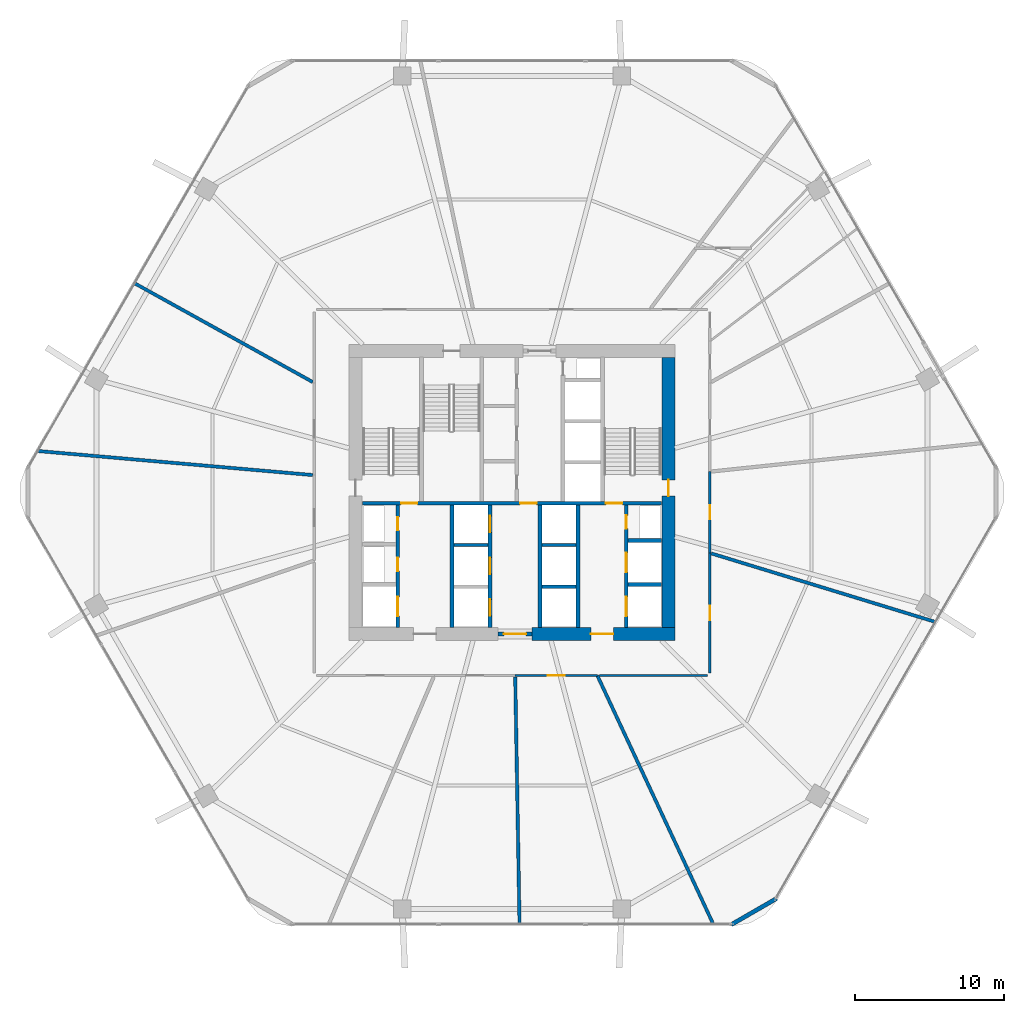
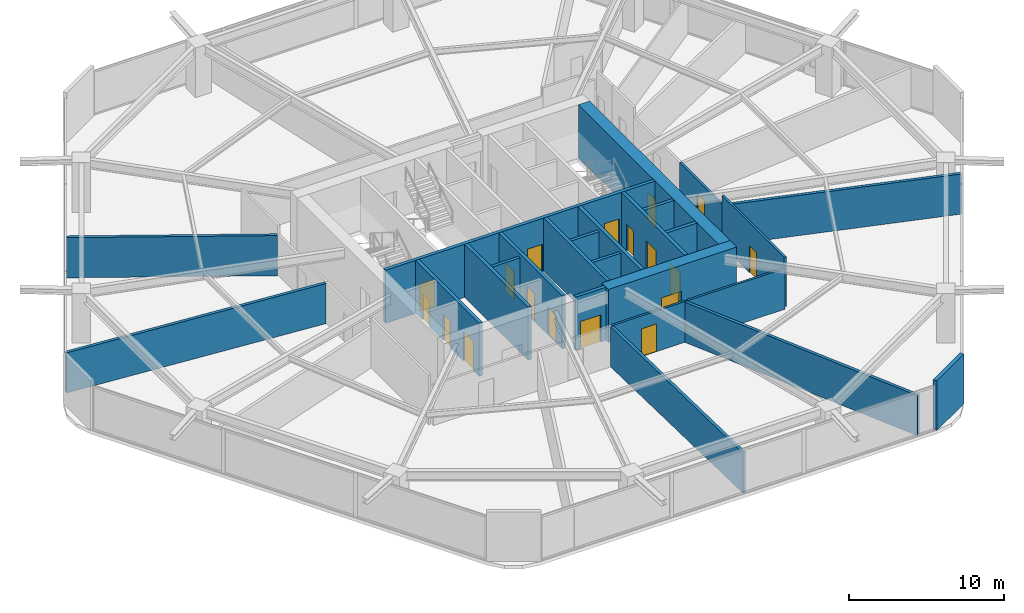
# One storey, part 22 of 25: 25 walls, 18 doors, 18 openings.
"""IFC4 building model written with IfcOpenShell, lengths in metres."""

from ifc_helpers import new_model, si_unit, direction, frame, frame_2d, origin, place, context, subcontext, project, spatial, rectangle, extrude, material, layer, layer_set, type_object, element, fill, save


model = new_model("IFC4")

# Units and contexts
model_context = context("Model", 3, precision=1e-05, world=origin(), true_north=direction((0.0, 1.0)))
body_context = subcontext(model_context, "Body", "Model", "MODEL_VIEW")
ifc_project = project(units=[si_unit("LENGTHUNIT", "METRE"), si_unit("AREAUNIT", "SQUARE_METRE"), si_unit("VOLUMEUNIT", "CUBIC_METRE"), si_unit("PLANEANGLEUNIT", "RADIAN"), si_unit("MASSUNIT", "GRAM", prefix="KILO")], contexts=[model_context])

# Site, building, storey
site_placement = place(None, origin())
site = spatial("IfcSite", under=ifc_project, at=site_placement, CompositionType="ELEMENT")
building_placement = place(site_placement, origin())
building = spatial("IfcBuilding", under=site, at=building_placement, Name="Zuhravey Tower", CompositionType="ELEMENT")
storey_placement = place(building_placement, frame((0.0, 0.0, 62.39990234375)))
storey = spatial("IfcBuildingStorey", under=building, at=storey_placement, Name="L15", CompositionType="ELEMENT", Elevation=62.39990234375)

# Wall, opening, door
ifc_material_1 = material(Name="Concrete C60/75", Category="concrete")
ifc_layer_1 = layer(ifc_material_1, 0.85009765625)
ifc_layer_set_1 = layer_set([ifc_layer_1], Name="Concrete C60/75")
wall_type_1 = type_object("IfcWallType", Name="Core Shear Wall 850", PredefinedType="SHEAR", material=ifc_layer_set_1)
wall_1_placement = place(storey_placement, frame((37.35009765625, 22.5, 0.0), z_axis=(0.0, 0.0, 1.0), x_axis=(1.0, 0.0, 0.0)))
wall_1 = element("IfcWall", 1, at=wall_1_placement, inside=storey, type_object=wall_type_1, Name="L15 South-East Core Shear Wall CW85", PredefinedType="SHEAR", context=body_context, shape_type="SweptSolid", body=[
    extrude(rectangle(XDim=9.574951171875, YDim=0.85009765625, at=frame_2d((4.78759765625, 0.0))), origin(), (0.0, 0.0, 1.0), 4.2001953125),
])
opening_1_placement = place(wall_1_placement, frame((3.949951171875, 0.0, 0.0)))
opening_1 = element("IfcOpeningElement", 2, at=opening_1_placement, cuts=wall_1, Name="Opening FFD1", PredefinedType="OPENING", context=body_context, shape_type="SweptSolid", body=[
    extrude(rectangle(XDim=1.5, YDim=2.14990234375, at=frame_2d((0.75, 1.074951171875))), frame((0.0, 0.43701171875, 0.0), z_axis=(0.0, -1.0, 0.0), x_axis=(1.0, 0.0, 0.0)), (0.0, 0.0, 1.0), 0.8740234375),
])
ifc_material_2 = material(Name="Galvanised fire-rated steel leaf", Category="steel")
door_type_1 = type_object("IfcDoorType", Name="Firefighting Lobby Double Door 1500x2150", OperationType="DOUBLE_DOOR_SINGLE_SWING", PredefinedType="DOOR", material=ifc_material_2)
door_1_placement = place(opening_1_placement, origin())
door_1 = element("IfcDoor", 3, at=door_1_placement, inside=storey, type_object=door_type_1, Name="L15 Firefighting Lobby East Door", OperationType="DOUBLE_DOOR_SINGLE_SWING", OverallHeight=2.14990234375, OverallWidth=1.5, PredefinedType="DOOR", context=body_context, shape_type="SweptSolid", body=[
    extrude(rectangle(XDim=1.5, YDim=2.14990234375, at=frame_2d((0.75, 1.074951171875))), frame((0.0, 0.02490234375, 0.0), z_axis=(0.0, -1.0, 0.0), x_axis=(1.0, 0.0, 0.0)), (0.0, 0.0, 1.0), 0.050048828125),
])
fill(opening_1, door_1)

wall_2_placement = place(storey_placement, frame((46.5, 22.925048828125, 0.0), z_axis=(0.0, 0.0, 1.0), x_axis=(0.0, 1.0, 0.0)))
wall_2 = element("IfcWall", 4, at=wall_2_placement, inside=storey, type_object=wall_type_1, Name="L15 East Core Shear Wall CW85", PredefinedType="SHEAR", context=body_context, shape_type="SweptSolid", body=[
    extrude(rectangle(XDim=18.14990234375, YDim=0.85009765625, at=frame_2d((9.074951171875, 0.0))), origin(), (0.0, 0.0, 1.0), 4.2001953125),
])
opening_2_placement = place(wall_2_placement, frame((8.824951171875, 0.0, 0.0)))
opening_2 = element("IfcOpeningElement", 5, at=opening_2_placement, cuts=wall_2, Name="Opening STD1", PredefinedType="OPENING", context=body_context, shape_type="SweptSolid", body=[
    extrude(rectangle(XDim=1.10009765625, YDim=2.14990234375, at=frame_2d((0.550048828125, 1.074951171875))), frame((0.0, 0.43701171875, 0.0), z_axis=(0.0, -1.0, 0.0), x_axis=(1.0, 0.0, 0.0)), (0.0, 0.0, 1.0), 0.8740234375),
])
door_type_2 = type_object("IfcDoorType", Name="Protected Stair Fire Door 1100x2150", OperationType="NOTDEFINED", PredefinedType="USERDEFINED", material=ifc_material_2)
door_2_placement = place(opening_2_placement, origin())
door_2 = element("IfcDoor", 6, at=door_2_placement, inside=storey, type_object=door_type_2, Name="L15 Stair ST2 Door", ObjectType="EXITDOOR", OperationType="SINGLE_SWING_RIGHT", OverallHeight=2.14990234375, OverallWidth=1.10009765625, PredefinedType="USERDEFINED", context=body_context, shape_type="SweptSolid", body=[
    extrude(rectangle(XDim=1.10009765625, YDim=2.14990234375, at=frame_2d((0.550048828125, 1.074951171875))), frame((0.0, 0.02490234375, 0.0), z_axis=(0.0, -1.0, 0.0), x_axis=(1.0, 0.0, 0.0)), (0.0, 0.0, 1.0), 0.050048828125),
])
fill(opening_2, door_2)

ifc_material_3 = material(Name="Gypsum fire-rated stud partition")
ifc_layer_2 = layer(ifc_material_3, 0.159912109375)
ifc_layer_set_2 = layer_set([ifc_layer_2], Name="Gypsum fire-rated stud partition")
wall_type_2 = type_object("IfcWallType", Name="Corridor Fire Partition 160", PredefinedType="PARTITIONING", material=ifc_layer_set_2)
wall_3_placement = place(storey_placement, frame((36.21435546875, 19.715087890625, 0.0), z_axis=(0.0, 0.0, 1.0), x_axis=(1.0, 0.0, 0.0)))
wall_3 = element("IfcWall", 7, at=wall_3_placement, inside=storey, type_object=wall_type_2, Name="L15 IW16 Partition 029", PredefinedType="PARTITIONING", context=body_context, shape_type="SweptSolid", body=[
    extrude(rectangle(XDim=5.51416015625, YDim=0.159912109375, at=frame_2d((2.757080078125, 0.0))), origin(), (0.0, 0.0, 1.0), 3.22021484375),
])
opening_3_placement = place(wall_3_placement, frame((2.18212890625, 0.0, 0.0)))
opening_3 = element("IfcOpeningElement", 8, at=opening_3_placement, cuts=wall_3, Name="Opening CLD1", PredefinedType="OPENING", context=body_context, shape_type="SweptSolid", body=[
    extrude(rectangle(XDim=1.14990234375, YDim=2.199951171875, at=frame_2d((0.574951171875, 1.10009765625))), frame((0.0, 0.092041015625, 0.0), z_axis=(0.0, -1.0, 0.0), x_axis=(1.0, 0.0, 0.0)), (0.0, 0.0, 1.0), 0.183837890625),
])
ifc_material_4 = material(Name="Acoustic timber leaf with vision lite", Category="wood")
door_type_3 = type_object("IfcDoorType", Name="Classroom Acoustic Door 1150x2200", OperationType="NOTDEFINED", PredefinedType="DOOR", material=ifc_material_4)
door_3_placement = place(opening_3_placement, frame((1.14990234375, 0.0, 0.0), z_axis=(0.0, 0.0, 1.0), x_axis=(-1.0, 0.0, 0.0)))
door_3 = element("IfcDoor", 9, at=door_3_placement, inside=storey, type_object=door_type_3, Name="L15 Door 029.1", OperationType="SINGLE_SWING_RIGHT", OverallHeight=2.199951171875, OverallWidth=1.14990234375, PredefinedType="DOOR", context=body_context, shape_type="SweptSolid", body=[
    extrude(rectangle(XDim=1.14990234375, YDim=2.199951171875, at=frame_2d((0.574951171875, 1.10009765625))), frame((0.0, 0.02490234375, 0.0), z_axis=(0.0, -1.0, 0.0), x_axis=(1.0, 0.0, 0.0)), (0.0, 0.0, 1.0), 0.050048828125),
])
fill(opening_3, door_3)

wall_4_placement = place(storey_placement, frame((49.284912109375, 19.875, 0.0), z_axis=(0.0, 0.0, 1.0), x_axis=(0.0, 1.0, 0.0)))
wall_4 = element("IfcWall", 10, at=wall_4_placement, inside=storey, type_object=wall_type_2, Name="L15 IW16 Partition 030", PredefinedType="PARTITIONING", context=body_context, shape_type="SweptSolid", body=[
    extrude(rectangle(XDim=8.0634765625, YDim=0.159912109375, at=frame_2d((4.03173828125, 0.0))), origin(), (0.0, 0.0, 1.0), 3.920166015625),
])
opening_4_placement = place(wall_4_placement, frame((3.556640625, 0.0, 0.0)))
opening_4 = element("IfcOpeningElement", 11, at=opening_4_placement, cuts=wall_4, Name="Opening IND1", PredefinedType="OPENING", context=body_context, shape_type="SweptSolid", body=[
    extrude(rectangle(XDim=0.949951171875, YDim=2.10009765625, at=frame_2d((0.47509765625, 1.050048828125))), frame((0.0, 0.092041015625, 0.0), z_axis=(0.0, -1.0, 0.0), x_axis=(1.0, 0.0, 0.0)), (0.0, 0.0, 1.0), 0.183837890625),
])
ifc_material_5 = material(Name="Painted engineered timber leaf", Category="wood")
door_type_4 = type_object("IfcDoorType", Name="Internal Room & Bedroom Door 950x2100", OperationType="NOTDEFINED", PredefinedType="DOOR", material=ifc_material_5)
door_4_placement = place(opening_4_placement, frame((0.949951171875, 0.0, 0.0), z_axis=(0.0, 0.0, 1.0), x_axis=(-1.0, 0.0, 0.0)))
door_4 = element("IfcDoor", 12, at=door_4_placement, inside=storey, type_object=door_type_4, Name="L15 Door 030.1", OperationType="SINGLE_SWING_LEFT", OverallHeight=2.10009765625, OverallWidth=0.949951171875, PredefinedType="DOOR", context=body_context, shape_type="SweptSolid", body=[
    extrude(rectangle(XDim=0.949951171875, YDim=2.10009765625, at=frame_2d((0.47509765625, 1.050048828125))), frame((0.0, 0.02490234375, 0.0), z_axis=(0.0, -1.0, 0.0), x_axis=(1.0, 0.0, 0.0)), (0.0, 0.0, 1.0), 0.050048828125),
])
fill(opening_4, door_4)

wall_5_placement = place(storey_placement, frame((49.284912109375, 27.9384765625, 0.0), z_axis=(0.0, 0.0, 1.0), x_axis=(0.0, 1.0, 0.0)))
wall_5 = element("IfcWall", 13, at=wall_5_placement, inside=storey, type_object=wall_type_2, Name="L15 IW16 Partition 031", PredefinedType="PARTITIONING", context=body_context, shape_type="SweptSolid", body=[
    extrude(rectangle(XDim=5.457763671875, YDim=0.159912109375, at=frame_2d((2.72900390625, 0.0))), origin(), (0.0, 0.0, 1.0), 3.22021484375),
])
opening_5_placement = place(wall_5_placement, frame((2.25390625, 0.0, 0.0)))
opening_5 = element("IfcOpeningElement", 14, at=opening_5_placement, cuts=wall_5, Name="Opening IND1", PredefinedType="OPENING", context=body_context, shape_type="SweptSolid", body=[
    extrude(rectangle(XDim=0.949951171875, YDim=2.10009765625, at=frame_2d((0.47509765625, 1.050048828125))), frame((0.0, 0.092041015625, 0.0), z_axis=(0.0, -1.0, 0.0), x_axis=(1.0, 0.0, 0.0)), (0.0, 0.0, 1.0), 0.183837890625),
])
door_5_placement = place(opening_5_placement, frame((0.949951171875, 0.0, 0.0), z_axis=(0.0, 0.0, 1.0), x_axis=(-1.0, 0.0, 0.0)))
door_5 = element("IfcDoor", 15, at=door_5_placement, inside=storey, type_object=door_type_4, Name="L15 Door 031.1", OperationType="SINGLE_SWING_RIGHT", OverallHeight=2.10009765625, OverallWidth=0.949951171875, PredefinedType="DOOR", context=body_context, shape_type="SweptSolid", body=[
    extrude(rectangle(XDim=0.949951171875, YDim=2.10009765625, at=frame_2d((0.47509765625, 1.050048828125))), frame((0.0, 0.02490234375, 0.0), z_axis=(0.0, -1.0, 0.0), x_axis=(1.0, 0.0, 0.0)), (0.0, 0.0, 1.0), 0.050048828125),
])
fill(opening_5, door_5)

# Walls
wall_6_placement = place(storey_placement, frame((41.85888671875, 19.715087890625, 0.0), z_axis=(0.0, 0.0, 1.0), x_axis=(1.0, 0.0, 0.0)))
element("IfcWall", 16, at=wall_6_placement, inside=storey, type_object=wall_type_2, Name="L15 IW16 Partition 059", PredefinedType="PARTITIONING", context=body_context, shape_type="SweptSolid", body=[
    extrude(rectangle(XDim=7.26611328125, YDim=0.159912109375, at=frame_2d((3.633056640625, 0.0))), origin(), (0.0, 0.0, 1.0), 3.22021484375),
])
ifc_material_6 = material(Name="Precast concrete C40/50", Category="concrete")
ifc_layer_3 = layer(ifc_material_6, 0.280029296875)
ifc_layer_set_3 = layer_set([ifc_layer_3], Name="Precast concrete C40/50")
wall_type_3 = type_object("IfcWallType", Name="Crown Architectural Wall 280", PredefinedType="SOLIDWALL", material=ifc_layer_set_3)
wall_7_placement = place(storey_placement, frame((53.76123046875, 4.75146484375, 0.0), z_axis=(0.0, 0.0, 1.0), x_axis=(-0.866007452331, -0.500031091541, 0.0)))
element("IfcWall", 17, at=wall_7_placement, inside=storey, type_object=wall_type_3, Name="L15 Rounded Corner Closure Wall EW28-02", PredefinedType="SOLIDWALL", context=body_context, shape_type="SweptSolid", body=[
    extrude(rectangle(XDim=3.514892578125, YDim=0.280029296875, at=frame_2d((1.75732421875, 0.0))), origin(), (0.0, 0.0, 1.0), 3.920166015625),
])

# Wall, opening, door
ifc_material_7 = material(Name="Concrete C50/60", Category="concrete")
ifc_layer_4 = layer(ifc_material_7, 0.25)
ifc_layer_set_4 = layer_set([ifc_layer_4], Name="Concrete C50/60")
wall_type_4 = type_object("IfcWallType", Name="Firefighting Shaft & Stair Wall 250", PredefinedType="SOLIDWALL", material=ifc_layer_set_4)
wall_8_placement = place(storey_placement, frame((35.06005859375, 22.5, 0.0), z_axis=(0.0, 0.0, 1.0), x_axis=(1.0, 0.0, 0.0)))
wall_8 = element("IfcWall", 18, at=wall_8_placement, inside=storey, type_object=wall_type_4, Name="L15 FW25 Shaft Wall 001", PredefinedType="SOLIDWALL", context=body_context, shape_type="SweptSolid", body=[
    extrude(rectangle(XDim=2.280029296875, YDim=0.25, at=frame_2d((1.14013671875, 0.0))), origin(), (0.0, 0.0, 1.0), 4.2001953125),
])
opening_6_placement = place(wall_8_placement, frame((0.389892578125, 0.0, 0.0)))
opening_6 = element("IfcOpeningElement", 19, at=opening_6_placement, cuts=wall_8, Name="Opening FFD1", PredefinedType="OPENING", context=body_context, shape_type="SweptSolid", body=[
    extrude(rectangle(XDim=1.5, YDim=2.14990234375, at=frame_2d((0.75, 1.074951171875))), frame((0.0, 0.136962890625, 0.0), z_axis=(0.0, -1.0, 0.0), x_axis=(1.0, 0.0, 0.0)), (0.0, 0.0, 1.0), 0.27392578125),
])
door_6_placement = place(opening_6_placement, frame((1.5, 0.0, 0.0), z_axis=(0.0, 0.0, 1.0), x_axis=(-1.0, 0.0, 0.0)))
door_6 = element("IfcDoor", 20, at=door_6_placement, inside=storey, type_object=door_type_1, Name="L15 South Lift Lobby Exit Door", OperationType="DOUBLE_DOOR_SINGLE_SWING", OverallHeight=2.14990234375, OverallWidth=1.5, PredefinedType="DOOR", context=body_context, shape_type="SweptSolid", body=[
    extrude(rectangle(XDim=1.5, YDim=2.14990234375, at=frame_2d((0.75, 1.074951171875))), frame((0.0, 0.02490234375, 0.0), z_axis=(0.0, -1.0, 0.0), x_axis=(1.0, 0.0, 0.0)), (0.0, 0.0, 1.0), 0.050048828125),
])
fill(opening_6, door_6)

# Wall, openings, doors
wall_9_placement = place(storey_placement, frame((25.949951171875, 31.27490234375, 0.0), z_axis=(0.0, 0.0, 1.0), x_axis=(1.0, 0.0, 0.0)))
wall_9 = element("IfcWall", 21, at=wall_9_placement, inside=storey, type_object=wall_type_4, Name="L15 FW25 Shaft Wall 003", PredefinedType="SOLIDWALL", context=body_context, shape_type="SweptSolid", body=[
    extrude(rectangle(XDim=20.10009765625, YDim=0.25, at=frame_2d((10.050048828125, 0.0))), origin(), (0.0, 0.0, 1.0), 4.2001953125),
])
opening_7_placement = place(wall_9_placement, frame((2.60009765625, 0.0, 0.0)))
opening_7 = element("IfcOpeningElement", 22, at=opening_7_placement, cuts=wall_9, Name="Opening STD1", PredefinedType="OPENING", context=body_context, shape_type="SweptSolid", body=[
    extrude(rectangle(XDim=1.10009765625, YDim=2.14990234375, at=frame_2d((0.550048828125, 1.074951171875))), frame((0.0, 0.136962890625, 0.0), z_axis=(0.0, -1.0, 0.0), x_axis=(1.0, 0.0, 0.0)), (0.0, 0.0, 1.0), 0.27392578125),
])
opening_8_placement = place(wall_9_placement, frame((10.60009765625, 0.0, 0.0)))
opening_8 = element("IfcOpeningElement", 23, at=opening_8_placement, cuts=wall_9, Name="Opening STD1", PredefinedType="OPENING", context=body_context, shape_type="SweptSolid", body=[
    extrude(rectangle(XDim=1.10009765625, YDim=2.14990234375, at=frame_2d((0.550048828125, 1.074951171875))), frame((0.0, 0.136962890625, 0.0), z_axis=(0.0, -1.0, 0.0), x_axis=(1.0, 0.0, 0.0)), (0.0, 0.0, 1.0), 0.27392578125),
])
opening_9_placement = place(wall_9_placement, frame((16.35009765625, 0.0, 0.0)))
opening_9 = element("IfcOpeningElement", 24, at=opening_9_placement, cuts=wall_9, Name="Opening STD1", PredefinedType="OPENING", context=body_context, shape_type="SweptSolid", body=[
    extrude(rectangle(XDim=1.10009765625, YDim=2.14990234375, at=frame_2d((0.550048828125, 1.074951171875))), frame((0.0, 0.136962890625, 0.0), z_axis=(0.0, -1.0, 0.0), x_axis=(1.0, 0.0, 0.0)), (0.0, 0.0, 1.0), 0.27392578125),
])
door_7_placement = place(opening_7_placement, origin())
door_7 = element("IfcDoor", 25, at=door_7_placement, inside=storey, type_object=door_type_2, Name="L15 FFL-W to ST1 Door", ObjectType="EXITDOOR", OperationType="SINGLE_SWING_RIGHT", OverallHeight=2.14990234375, OverallWidth=1.10009765625, PredefinedType="USERDEFINED", context=body_context, shape_type="SweptSolid", body=[
    extrude(rectangle(XDim=1.10009765625, YDim=2.14990234375, at=frame_2d((0.550048828125, 1.074951171875))), frame((0.0, 0.02490234375, 0.0), z_axis=(0.0, -1.0, 0.0), x_axis=(1.0, 0.0, 0.0)), (0.0, 0.0, 1.0), 0.050048828125),
])
fill(opening_7, door_7)
door_8_placement = place(opening_8_placement, origin())
door_8 = element("IfcDoor", 26, at=door_8_placement, inside=storey, type_object=door_type_2, Name="L15 Core Lobby Link Door", ObjectType="EXITDOOR", OperationType="SINGLE_SWING_LEFT", OverallHeight=2.14990234375, OverallWidth=1.10009765625, PredefinedType="USERDEFINED", context=body_context, shape_type="SweptSolid", body=[
    extrude(rectangle(XDim=1.10009765625, YDim=2.14990234375, at=frame_2d((0.550048828125, 1.074951171875))), frame((0.0, 0.02490234375, 0.0), z_axis=(0.0, -1.0, 0.0), x_axis=(1.0, 0.0, 0.0)), (0.0, 0.0, 1.0), 0.050048828125),
])
fill(opening_8, door_8)
door_9_placement = place(opening_9_placement, origin())
door_9 = element("IfcDoor", 27, at=door_9_placement, inside=storey, type_object=door_type_2, Name="L15 FFL-E to ST2 Door", ObjectType="EXITDOOR", OperationType="SINGLE_SWING_RIGHT", OverallHeight=2.14990234375, OverallWidth=1.10009765625, PredefinedType="USERDEFINED", context=body_context, shape_type="SweptSolid", body=[
    extrude(rectangle(XDim=1.10009765625, YDim=2.14990234375, at=frame_2d((0.550048828125, 1.074951171875))), frame((0.0, 0.02490234375, 0.0), z_axis=(0.0, -1.0, 0.0), x_axis=(1.0, 0.0, 0.0)), (0.0, 0.0, 1.0), 0.050048828125),
])
fill(opening_9, door_9)

wall_10_placement = place(storey_placement, frame((28.324951171875, 22.949951171875, 0.0), z_axis=(0.0, 0.0, 1.0), x_axis=(0.0, 1.0, 0.0)))
wall_10 = element("IfcWall", 28, at=wall_10_placement, inside=storey, type_object=wall_type_4, Name="L15 FW25 Shaft Wall 011", PredefinedType="SOLIDWALL", context=body_context, shape_type="SweptSolid", body=[
    extrude(rectangle(XDim=8.199951171875, YDim=0.25, at=frame_2d((4.10009765625, 0.0))), origin(), (0.0, 0.0, 1.0), 4.2001953125),
])
opening_10_placement = place(wall_10_placement, frame((0.75, 0.0, 0.0)))
opening_10 = element("IfcOpeningElement", 29, at=opening_10_placement, cuts=wall_10, Name="Opening LD2", PredefinedType="OPENING", context=body_context, shape_type="SweptSolid", body=[
    extrude(rectangle(XDim=1.300048828125, YDim=2.300048828125, at=frame_2d((0.64990234375, 1.14990234375))), frame((0.0, 0.136962890625, 0.0), z_axis=(0.0, -1.0, 0.0), x_axis=(1.0, 0.0, 0.0)), (0.0, 0.0, 1.0), 0.27392578125),
])
opening_11_placement = place(wall_10_placement, frame((3.780029296875, 0.0, 0.0)))
opening_11 = element("IfcOpeningElement", 30, at=opening_11_placement, cuts=wall_10, Name="Opening RSD1", PredefinedType="OPENING", context=body_context, shape_type="SweptSolid", body=[
    extrude(rectangle(XDim=0.89990234375, YDim=2.10009765625, at=frame_2d((0.449951171875, 1.050048828125))), frame((0.0, 0.136962890625, 0.0), z_axis=(0.0, -1.0, 0.0), x_axis=(1.0, 0.0, 0.0)), (0.0, 0.0, 1.0), 0.27392578125),
])
opening_12_placement = place(wall_10_placement, frame((6.5, 0.0, 0.0)))
opening_12 = element("IfcOpeningElement", 31, at=opening_12_placement, cuts=wall_10, Name="Opening RSD1", PredefinedType="OPENING", context=body_context, shape_type="SweptSolid", body=[
    extrude(rectangle(XDim=0.89990234375, YDim=2.10009765625, at=frame_2d((0.449951171875, 1.050048828125))), frame((0.0, 0.136962890625, 0.0), z_axis=(0.0, -1.0, 0.0), x_axis=(1.0, 0.0, 0.0)), (0.0, 0.0, 1.0), 0.27392578125),
])
ifc_material_8 = material(Name="Brushed stainless steel", Category="steel")
door_type_5 = type_object("IfcDoorType", Name="Freight & Stretcher Lift Sliding Door 1300x2300", OperationType="DOUBLE_DOOR_SLIDING", PredefinedType="DOOR", material=ifc_material_8)
door_10_placement = place(opening_10_placement, frame((1.300048828125, 0.0, 0.0), z_axis=(0.0, 0.0, 1.0), x_axis=(-1.0, 0.0, 0.0)))
door_10 = element("IfcDoor", 32, at=door_10_placement, inside=storey, type_object=door_type_5, Name="L15 Lift FF1 Landing Door", OperationType="DOUBLE_DOOR_SLIDING", OverallHeight=2.300048828125, OverallWidth=1.300048828125, PredefinedType="DOOR", context=body_context, shape_type="SweptSolid", body=[
    extrude(rectangle(XDim=1.300048828125, YDim=2.300048828125, at=frame_2d((0.64990234375, 1.14990234375))), frame((0.0, 0.02490234375, 0.0), z_axis=(0.0, -1.0, 0.0), x_axis=(1.0, 0.0, 0.0)), (0.0, 0.0, 1.0), 0.050048828125),
])
fill(opening_10, door_10)
ifc_material_9 = material(Name="Galvanised fire-rated steel access leaf", Category="steel")
door_type_6 = type_object("IfcDoorType", Name="Riser & Shaft Access Fire Door 900x2100", OperationType="NOTDEFINED", PredefinedType="DOOR", material=ifc_material_9)
door_11_placement = place(opening_11_placement, frame((0.89990234375, 0.0, 0.0), z_axis=(0.0, 0.0, 1.0), x_axis=(-1.0, 0.0, 0.0)))
door_11 = element("IfcDoor", 33, at=door_11_placement, inside=storey, type_object=door_type_6, Name="L15 Electrical Riser Door", OperationType="SINGLE_SWING_LEFT", OverallHeight=2.10009765625, OverallWidth=0.89990234375, PredefinedType="DOOR", context=body_context, shape_type="SweptSolid", body=[
    extrude(rectangle(XDim=0.89990234375, YDim=2.10009765625, at=frame_2d((0.449951171875, 1.050048828125))), frame((0.0, 0.02490234375, 0.0), z_axis=(0.0, -1.0, 0.0), x_axis=(1.0, 0.0, 0.0)), (0.0, 0.0, 1.0), 0.050048828125),
])
fill(opening_11, door_11)
door_12_placement = place(opening_12_placement, frame((0.89990234375, 0.0, 0.0), z_axis=(0.0, 0.0, 1.0), x_axis=(-1.0, 0.0, 0.0)))
door_12 = element("IfcDoor", 34, at=door_12_placement, inside=storey, type_object=door_type_6, Name="L15 Smoke Shaft Access Door", OperationType="SINGLE_SWING_RIGHT", OverallHeight=2.10009765625, OverallWidth=0.89990234375, PredefinedType="DOOR", context=body_context, shape_type="SweptSolid", body=[
    extrude(rectangle(XDim=0.89990234375, YDim=2.10009765625, at=frame_2d((0.449951171875, 1.050048828125))), frame((0.0, 0.02490234375, 0.0), z_axis=(0.0, -1.0, 0.0), x_axis=(1.0, 0.0, 0.0)), (0.0, 0.0, 1.0), 0.050048828125),
])
fill(opening_12, door_12)

# Wall
wall_11_placement = place(storey_placement, frame((31.97509765625, 22.949951171875, 0.0), z_axis=(0.0, 0.0, 1.0), x_axis=(0.0, 1.0, 0.0)))
element("IfcWall", 35, at=wall_11_placement, inside=storey, type_object=wall_type_4, Name="L15 FW25 Shaft Wall 012", PredefinedType="SOLIDWALL", context=body_context, shape_type="SweptSolid", body=[
    extrude(rectangle(XDim=8.199951171875, YDim=0.25, at=frame_2d((4.10009765625, 0.0))), origin(), (0.0, 0.0, 1.0), 4.2001953125),
])

# Wall, openings, doors
wall_12_placement = place(storey_placement, frame((34.52490234375, 22.949951171875, 0.0), z_axis=(0.0, 0.0, 1.0), x_axis=(0.0, 1.0, 0.0)))
wall_12 = element("IfcWall", 36, at=wall_12_placement, inside=storey, type_object=wall_type_4, Name="L15 FW25 Shaft Wall 013", PredefinedType="SOLIDWALL", context=body_context, shape_type="SweptSolid", body=[
    extrude(rectangle(XDim=8.199951171875, YDim=0.25, at=frame_2d((4.10009765625, 0.0))), origin(), (0.0, 0.0, 1.0), 4.2001953125),
])
opening_13_placement = place(wall_12_placement, frame((0.77490234375, 0.0, 0.0)))
opening_13 = element("IfcOpeningElement", 37, at=opening_13_placement, cuts=wall_12, Name="Opening LD1", PredefinedType="OPENING", context=body_context, shape_type="SweptSolid", body=[
    extrude(rectangle(XDim=1.10009765625, YDim=2.199951171875, at=frame_2d((0.550048828125, 1.10009765625))), frame((0.0, 0.136962890625, 0.0), z_axis=(0.0, -1.0, 0.0), x_axis=(1.0, 0.0, 0.0)), (0.0, 0.0, 1.0), 0.27392578125),
])
opening_14_placement = place(wall_12_placement, frame((3.574951171875, 0.0, 0.0)))
opening_14 = element("IfcOpeningElement", 38, at=opening_14_placement, cuts=wall_12, Name="Opening LD1", PredefinedType="OPENING", context=body_context, shape_type="SweptSolid", body=[
    extrude(rectangle(XDim=1.10009765625, YDim=2.199951171875, at=frame_2d((0.550048828125, 1.10009765625))), frame((0.0, 0.136962890625, 0.0), z_axis=(0.0, -1.0, 0.0), x_axis=(1.0, 0.0, 0.0)), (0.0, 0.0, 1.0), 0.27392578125),
])
opening_15_placement = place(wall_12_placement, frame((6.375, 0.0, 0.0)))
opening_15 = element("IfcOpeningElement", 39, at=opening_15_placement, cuts=wall_12, Name="Opening LD1", PredefinedType="OPENING", context=body_context, shape_type="SweptSolid", body=[
    extrude(rectangle(XDim=1.10009765625, YDim=2.199951171875, at=frame_2d((0.550048828125, 1.10009765625))), frame((0.0, 0.136962890625, 0.0), z_axis=(0.0, -1.0, 0.0), x_axis=(1.0, 0.0, 0.0)), (0.0, 0.0, 1.0), 0.27392578125),
])
door_type_7 = type_object("IfcDoorType", Name="Lift Landing Sliding Door 1100x2200", OperationType="DOUBLE_DOOR_SLIDING", PredefinedType="DOOR", material=ifc_material_8)
door_13_placement = place(opening_13_placement, frame((1.10009765625, 0.0, 0.0), z_axis=(0.0, 0.0, 1.0), x_axis=(-1.0, 0.0, 0.0)))
door_13 = element("IfcDoor", 40, at=door_13_placement, inside=storey, type_object=door_type_7, Name="L15 Lift PL1 Landing Door", OperationType="DOUBLE_DOOR_SLIDING", OverallHeight=2.199951171875, OverallWidth=1.10009765625, PredefinedType="DOOR", context=body_context, shape_type="SweptSolid", body=[
    extrude(rectangle(XDim=1.10009765625, YDim=2.199951171875, at=frame_2d((0.550048828125, 1.10009765625))), frame((0.0, 0.02490234375, 0.0), z_axis=(0.0, -1.0, 0.0), x_axis=(1.0, 0.0, 0.0)), (0.0, 0.0, 1.0), 0.050048828125),
])
fill(opening_13, door_13)
door_14_placement = place(opening_14_placement, frame((1.10009765625, 0.0, 0.0), z_axis=(0.0, 0.0, 1.0), x_axis=(-1.0, 0.0, 0.0)))
door_14 = element("IfcDoor", 41, at=door_14_placement, inside=storey, type_object=door_type_7, Name="L15 Lift PL2 Landing Door", OperationType="DOUBLE_DOOR_SLIDING", OverallHeight=2.199951171875, OverallWidth=1.10009765625, PredefinedType="DOOR", context=body_context, shape_type="SweptSolid", body=[
    extrude(rectangle(XDim=1.10009765625, YDim=2.199951171875, at=frame_2d((0.550048828125, 1.10009765625))), frame((0.0, 0.02490234375, 0.0), z_axis=(0.0, -1.0, 0.0), x_axis=(1.0, 0.0, 0.0)), (0.0, 0.0, 1.0), 0.050048828125),
])
fill(opening_14, door_14)
door_15_placement = place(opening_15_placement, frame((1.10009765625, 0.0, 0.0), z_axis=(0.0, 0.0, 1.0), x_axis=(-1.0, 0.0, 0.0)))
door_15 = element("IfcDoor", 42, at=door_15_placement, inside=storey, type_object=door_type_7, Name="L15 Lift PL3 Landing Door", OperationType="DOUBLE_DOOR_SLIDING", OverallHeight=2.199951171875, OverallWidth=1.10009765625, PredefinedType="DOOR", context=body_context, shape_type="SweptSolid", body=[
    extrude(rectangle(XDim=1.10009765625, YDim=2.199951171875, at=frame_2d((0.550048828125, 1.10009765625))), frame((0.0, 0.02490234375, 0.0), z_axis=(0.0, -1.0, 0.0), x_axis=(1.0, 0.0, 0.0)), (0.0, 0.0, 1.0), 0.050048828125),
])
fill(opening_15, door_15)

# Walls
for number, where, z_axis, x_axis, name in (
    (43, (37.875, 22.949951171875, 0.0), (0.0, 0.0, 1.0), (0.0, 1.0, 0.0), "L15 FW25 Shaft Wall 014"),
    (44, (40.425048828125, 22.949951171875, 0.0), (0.0, 0.0, 1.0), (0.0, 1.0, 0.0), "L15 FW25 Shaft Wall 015"),
):
    element("IfcWall", number, at=place(storey_placement, frame(where, z_axis=z_axis, x_axis=x_axis)), inside=storey, type_object=wall_type_4, Name=name, PredefinedType="SOLIDWALL", context=body_context, shape_type="SweptSolid", body=[
        extrude(rectangle(XDim=8.199951171875, YDim=0.25, at=frame_2d((4.10009765625, 0.0))), origin(), (0.0, 0.0, 1.0), 4.2001953125),
    ])
for number, where, z_axis, x_axis, name in (
    (45, (43.800048828125, 25.824951171875, 0.0), (0.0, 0.0, 1.0), (1.0, 0.0, 0.0), "L15 FW25 Shaft Wall 016"),
    (46, (43.800048828125, 28.77490234375, 0.0), (0.0, 0.0, 1.0), (1.0, 0.0, 0.0), "L15 FW25 Shaft Wall 017"),
):
    element("IfcWall", number, at=place(storey_placement, frame(where, z_axis=z_axis, x_axis=x_axis)), inside=storey, type_object=wall_type_4, Name=name, PredefinedType="SOLIDWALL", context=body_context, shape_type="SweptSolid", body=[
        extrude(rectangle(XDim=2.25, YDim=0.25, at=frame_2d((1.125, 0.0))), origin(), (0.0, 0.0, 1.0), 4.2001953125),
    ])

# Wall, openings, doors
wall_13_placement = place(storey_placement, frame((43.675048828125, 22.949951171875, 0.0), z_axis=(0.0, 0.0, 1.0), x_axis=(0.0, 1.0, 0.0)))
wall_13 = element("IfcWall", 47, at=wall_13_placement, inside=storey, type_object=wall_type_4, Name="L15 FW25 Shaft Wall 018", PredefinedType="SOLIDWALL", context=body_context, shape_type="SweptSolid", body=[
    extrude(rectangle(XDim=8.199951171875, YDim=0.25, at=frame_2d((4.10009765625, 0.0))), origin(), (0.0, 0.0, 1.0), 4.2001953125),
])
opening_16_placement = place(wall_13_placement, frame((0.75, 0.0, 0.0)))
opening_16 = element("IfcOpeningElement", 48, at=opening_16_placement, cuts=wall_13, Name="Opening LD2", PredefinedType="OPENING", context=body_context, shape_type="SweptSolid", body=[
    extrude(rectangle(XDim=1.300048828125, YDim=2.300048828125, at=frame_2d((0.64990234375, 1.14990234375))), frame((0.0, 0.136962890625, 0.0), z_axis=(0.0, -1.0, 0.0), x_axis=(1.0, 0.0, 0.0)), (0.0, 0.0, 1.0), 0.27392578125),
])
opening_17_placement = place(wall_13_placement, frame((3.699951171875, 0.0, 0.0)))
opening_17 = element("IfcOpeningElement", 49, at=opening_17_placement, cuts=wall_13, Name="Opening LD2", PredefinedType="OPENING", context=body_context, shape_type="SweptSolid", body=[
    extrude(rectangle(XDim=1.300048828125, YDim=2.300048828125, at=frame_2d((0.64990234375, 1.14990234375))), frame((0.0, 0.136962890625, 0.0), z_axis=(0.0, -1.0, 0.0), x_axis=(1.0, 0.0, 0.0)), (0.0, 0.0, 1.0), 0.27392578125),
])
opening_18_placement = place(wall_13_placement, frame((6.6201171875, 0.0, 0.0)))
opening_18 = element("IfcOpeningElement", 50, at=opening_18_placement, cuts=wall_13, Name="Opening RSD1", PredefinedType="OPENING", context=body_context, shape_type="SweptSolid", body=[
    extrude(rectangle(XDim=0.89990234375, YDim=2.10009765625, at=frame_2d((0.449951171875, 1.050048828125))), frame((0.0, 0.136962890625, 0.0), z_axis=(0.0, -1.0, 0.0), x_axis=(1.0, 0.0, 0.0)), (0.0, 0.0, 1.0), 0.27392578125),
])
door_16_placement = place(opening_16_placement, origin())
door_16 = element("IfcDoor", 51, at=door_16_placement, inside=storey, type_object=door_type_5, Name="L15 Lift FF2 Landing Door", OperationType="DOUBLE_DOOR_SLIDING", OverallHeight=2.300048828125, OverallWidth=1.300048828125, PredefinedType="DOOR", context=body_context, shape_type="SweptSolid", body=[
    extrude(rectangle(XDim=1.300048828125, YDim=2.300048828125, at=frame_2d((0.64990234375, 1.14990234375))), frame((0.0, 0.02490234375, 0.0), z_axis=(0.0, -1.0, 0.0), x_axis=(1.0, 0.0, 0.0)), (0.0, 0.0, 1.0), 0.050048828125),
])
fill(opening_16, door_16)
door_17_placement = place(opening_17_placement, origin())
door_17 = element("IfcDoor", 52, at=door_17_placement, inside=storey, type_object=door_type_5, Name="L15 Lift SV1 Landing Door", OperationType="DOUBLE_DOOR_SLIDING", OverallHeight=2.300048828125, OverallWidth=1.300048828125, PredefinedType="DOOR", context=body_context, shape_type="SweptSolid", body=[
    extrude(rectangle(XDim=1.300048828125, YDim=2.300048828125, at=frame_2d((0.64990234375, 1.14990234375))), frame((0.0, 0.02490234375, 0.0), z_axis=(0.0, -1.0, 0.0), x_axis=(1.0, 0.0, 0.0)), (0.0, 0.0, 1.0), 0.050048828125),
])
fill(opening_17, door_17)
door_18_placement = place(opening_18_placement, origin())
door_18 = element("IfcDoor", 53, at=door_18_placement, inside=storey, type_object=door_type_6, Name="L15 Plumbing Riser Door", OperationType="SINGLE_SWING_LEFT", OverallHeight=2.10009765625, OverallWidth=0.89990234375, PredefinedType="DOOR", context=body_context, shape_type="SweptSolid", body=[
    extrude(rectangle(XDim=0.89990234375, YDim=2.10009765625, at=frame_2d((0.449951171875, 1.050048828125))), frame((0.0, 0.02490234375, 0.0), z_axis=(0.0, -1.0, 0.0), x_axis=(1.0, 0.0, 0.0)), (0.0, 0.0, 1.0), 0.050048828125),
])
fill(opening_18, door_18)

# Walls
ifc_material_10 = material(Name="Gypsum acoustic stud assembly")
ifc_layer_5 = layer(ifc_material_10, 0.219970703125)
ifc_layer_set_5 = layer_set([ifc_layer_5], Name="Gypsum acoustic stud assembly")
wall_type_5 = type_object("IfcWallType", Name="School Acoustic Compartment Wall 220", PredefinedType="PARTITIONING", material=ifc_layer_set_5)
wall_14_placement = place(storey_placement, frame((32.10791015625, 28.47509765625, 0.0), z_axis=(0.0, 0.0, 1.0), x_axis=(1.0, 0.0, 0.0)))
element("IfcWall", 54, at=wall_14_placement, inside=storey, type_object=wall_type_5, Name="L15 IW22 Partition 039", PredefinedType="PARTITIONING", context=body_context, shape_type="SweptSolid", body=[
    extrude(rectangle(XDim=2.2841796875, YDim=0.219970703125, at=frame_2d((1.14208984375, 0.0))), origin(), (0.0, 0.0, 1.0), 3.920166015625),
])
for number, where, z_axis, x_axis, name in (
    (55, (38.008056640625, 25.675048828125, 0.0), (0.0, 0.0, 1.0), (1.0, 0.0, 0.0), "L15 IW22 Partition 040"),
    (56, (38.008056640625, 28.47509765625, 0.0), (0.0, 0.0, 1.0), (1.0, 0.0, 0.0), "L15 IW22 Partition 041"),
):
    element("IfcWall", number, at=place(storey_placement, frame(where, z_axis=z_axis, x_axis=x_axis)), inside=storey, type_object=wall_type_5, Name=name, PredefinedType="PARTITIONING", context=body_context, shape_type="SweptSolid", body=[
        extrude(rectangle(XDim=2.283935546875, YDim=0.219970703125, at=frame_2d((1.14208984375, 0.0))), origin(), (0.0, 0.0, 1.0), 3.920166015625),
    ])
wall_15_placement = place(storey_placement, frame((22.626953125, 39.412841796875, 0.0), z_axis=(0.0, 0.0, 1.0), x_axis=(-0.874620963666, 0.484807353405, 0.0)))
element("IfcWall", 57, at=wall_15_placement, inside=storey, type_object=wall_type_5, Name="L15 IW22 Partition 052", PredefinedType="PARTITIONING", context=body_context, shape_type="SweptSolid", body=[
    extrude(rectangle(XDim=13.6728515625, YDim=0.219970703125, at=frame_2d((6.83642578125, 0.0))), origin(), (0.0, 0.0, 1.0), 3.170166015625),
])
wall_16_placement = place(storey_placement, frame((22.626953125, 33.169921875, 0.0), z_axis=(0.0, 0.0, 1.0), x_axis=(-0.99619391773, 0.087164661858, 0.0)))
element("IfcWall", 58, at=wall_16_placement, inside=storey, type_object=wall_type_5, Name="L15 IW22 Partition 053", PredefinedType="PARTITIONING", context=body_context, shape_type="SweptSolid", body=[
    extrude(rectangle(XDim=18.528076171875, YDim=0.219970703125, at=frame_2d((9.26416015625, 0.0))), origin(), (0.0, 0.0, 1.0), 3.170166015625),
])
wall_17_placement = place(storey_placement, frame((36.216064453125, 19.626953125, 0.0), z_axis=(0.0, 0.0, 1.0), x_axis=(0.01745546123, -0.99984764183, 0.0)))
element("IfcWall", 59, at=wall_17_placement, inside=storey, type_object=wall_type_5, Name="L15 IW22 Partition 057", PredefinedType="PARTITIONING", context=body_context, shape_type="SweptSolid", body=[
    extrude(rectangle(XDim=16.587890625, YDim=0.219970703125, at=frame_2d((8.2939453125, 0.0))), origin(), (0.0, 0.0, 1.0), 3.170166015625),
])
wall_18_placement = place(storey_placement, frame((41.728515625, 19.715087890625, 0.0), z_axis=(0.0, 0.0, 1.0), x_axis=(0.422623913369, -0.906305151617, 0.0)))
element("IfcWall", 60, at=wall_18_placement, inside=storey, type_object=wall_type_5, Name="L15 IW22 Partition 058", PredefinedType="PARTITIONING", context=body_context, shape_type="SweptSolid", body=[
    extrude(rectangle(XDim=18.397216796875, YDim=0.219970703125, at=frame_2d((9.19873046875, 0.0))), origin(), (0.0, 0.0, 1.0), 3.170166015625),
])
wall_19_placement = place(storey_placement, frame((49.373046875, 27.91162109375, 0.0), z_axis=(0.0, 0.0, 1.0), x_axis=(0.956304467386, -0.292372648614, 0.0)))
element("IfcWall", 61, at=wall_19_placement, inside=storey, type_object=wall_type_5, Name="L15 IW22 Partition 060", PredefinedType="PARTITIONING", context=body_context, shape_type="SweptSolid", body=[
    extrude(rectangle(XDim=15.736083984375, YDim=0.219970703125, at=frame_2d((7.8681640625, 0.0))), origin(), (0.0, 0.0, 1.0), 3.170166015625),
])

save(model, "model.ifc")
